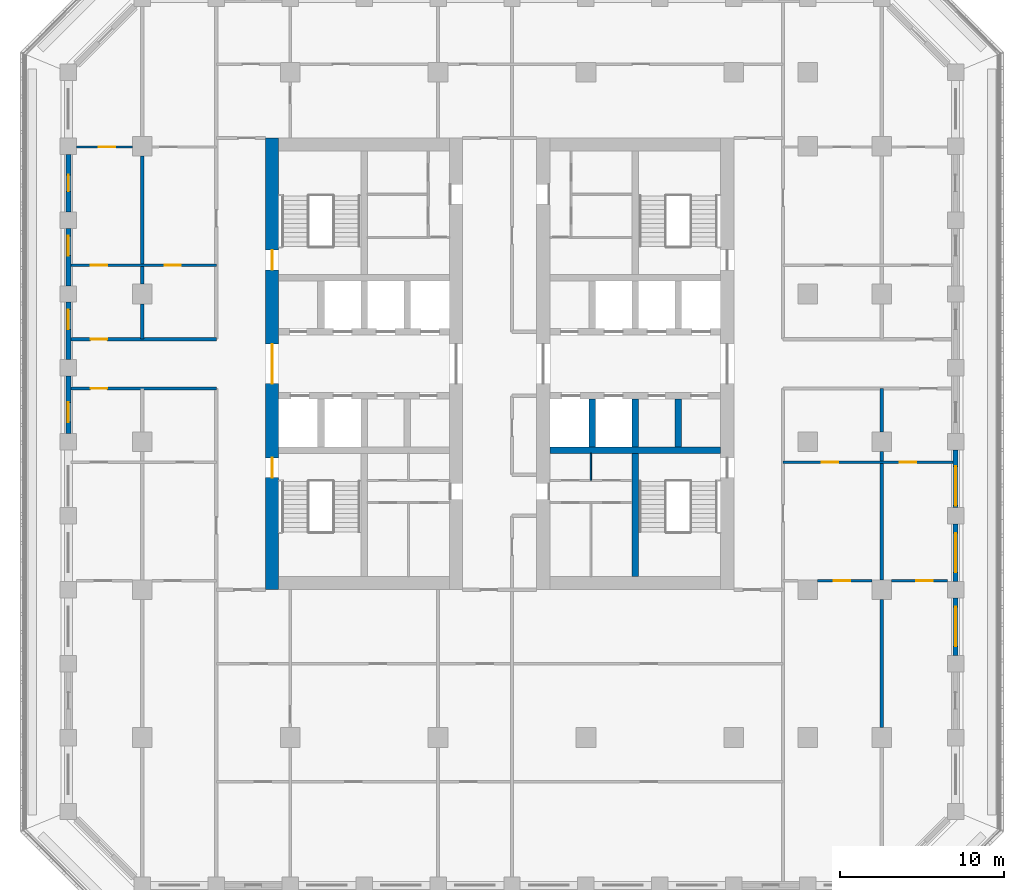
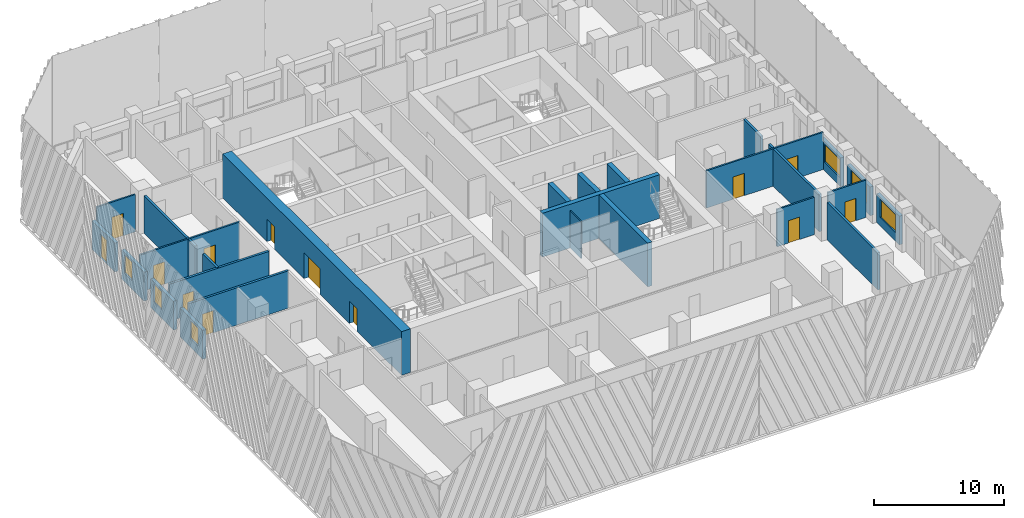
# One storey, part 5 of 17: 26 walls, 13 doors, 6 windows, 19 openings.
"""IFC4 building model written with IfcOpenShell, lengths in metres."""

from ifc_helpers import new_model, si_unit, direction, frame, frame_2d, origin, place, context, subcontext, project, spatial, rectangle, extrude, material, layer, layer_set, type_object, element, fill, save


model = new_model("IFC4")

# Units and contexts
model_context = context("Model", 3, precision=1e-05, world=origin(), true_north=direction((0.0, 1.0)))
body_context = subcontext(model_context, "Body", "Model", "MODEL_VIEW")
ifc_project = project(units=[si_unit("LENGTHUNIT", "METRE"), si_unit("AREAUNIT", "SQUARE_METRE"), si_unit("VOLUMEUNIT", "CUBIC_METRE"), si_unit("PLANEANGLEUNIT", "RADIAN"), si_unit("MASSUNIT", "GRAM", prefix="KILO")], contexts=[model_context])

# Site, building, storey
site_placement = place(None, origin())
site = spatial("IfcSite", under=ifc_project, at=site_placement, CompositionType="ELEMENT")
building_placement = place(site_placement, origin())
building = spatial("IfcBuilding", under=site, at=building_placement, Name="Corbel Stack Research Tower", CompositionType="ELEMENT")
storey_placement = place(building_placement, frame((0.0, 0.0, 216.10009765625)))
storey = spatial("IfcBuildingStorey", under=building, at=storey_placement, Name="L49", CompositionType="ELEMENT", Elevation=216.10009765625)

# Walls
ifc_material_1 = material(Name="Concrete C60/75", Category="concrete")
ifc_layer_1 = layer(ifc_material_1, 0.39990234375)
ifc_layer_set_1 = layer_set([ifc_layer_1], Name="Concrete C60/75")
wall_type_1 = type_object("IfcWallType", Name="CW-400-60", PredefinedType="SHEAR", material=ifc_layer_set_1)
wall_1_placement = place(storey_placement, frame((6.800048828125, -0.5, 0.0), z_axis=(0.0, 0.0, 1.0), x_axis=(1.0, 0.0, 0.0)))
element("IfcWall", 1, at=wall_1_placement, inside=storey, type_object=wall_type_1, Name="East core wall, south row back L49", PredefinedType="SHEAR", context=body_context, shape_type="SweptSolid", body=[
    extrude(rectangle(XDim=10.39990234375, YDim=0.39990234375, at=frame_2d((5.199951171875, 0.0))), origin(), (0.0, 0.0, 1.0), 4.099853515625),
])
for number, where, z_axis, x_axis, name in (
    (2, (9.375, -0.300048828125, 0.0), (0.0, 0.0, 1.0), (0.0, 1.0, 0.0), "East core wall, south shaft 1 L49"),
    (3, (12.0, -0.300048828125, 0.0), (0.0, 0.0, 1.0), (0.0, 1.0, 0.0), "East core wall, south shaft 2 L49"),
    (4, (14.625, -0.300048828125, 0.0), (0.0, 0.0, 1.0), (0.0, 1.0, 0.0), "East core wall, south shaft 3 L49"),
):
    element("IfcWall", number, at=place(storey_placement, frame(where, z_axis=z_axis, x_axis=x_axis)), inside=storey, type_object=wall_type_1, Name=name, PredefinedType="SHEAR", context=body_context, shape_type="SweptSolid", body=[
        extrude(rectangle(XDim=2.900146484375, YDim=0.39990234375, at=frame_2d((1.4501953125, 0.0))), origin(), (0.0, 0.0, 1.0), 4.099853515625),
    ])
wall_2_placement = place(storey_placement, frame((12.0, -8.199951171875, 0.0), z_axis=(0.0, 0.0, 1.0), x_axis=(0.0, 1.0, 0.0)))
element("IfcWall", 5, at=wall_2_placement, inside=storey, type_object=wall_type_1, Name="East core wall, south stair and WC L49", PredefinedType="SHEAR", context=body_context, shape_type="SweptSolid", body=[
    extrude(rectangle(XDim=7.5, YDim=0.39990234375, at=frame_2d((3.75, 0.0))), origin(), (0.0, 0.0, 1.0), 4.099853515625),
])

# Wall, openings, doors
ifc_material_2 = material(Name="Concrete C60/75", Category="concrete")
ifc_layer_2 = layer(ifc_material_2, 0.800048828125)
ifc_layer_set_2 = layer_set([ifc_layer_2], Name="Concrete C60/75")
wall_type_2 = type_object("IfcWallType", Name="CW-800-60", PredefinedType="SHEAR", material=ifc_layer_set_2)
wall_3_placement = place(storey_placement, frame((-10.10009765625, -9.0, 0.0), z_axis=(0.0, 0.0, 1.0), x_axis=(0.0, 1.0, 0.0)))
wall_3 = element("IfcWall", 6, at=wall_3_placement, inside=storey, type_object=wall_type_2, Name="West core wall, west face L49", PredefinedType="SHEAR", context=body_context, shape_type="SweptSolid", body=[
    extrude(rectangle(XDim=27.5, YDim=0.800048828125, at=frame_2d((13.75, 0.0))), origin(), (0.0, 0.0, 1.0), 4.099853515625),
])
opening_1_placement = place(wall_3_placement, frame((12.550048828125, 0.0, 0.0)))
opening_1 = element("IfcOpeningElement", 7, at=opening_1_placement, cuts=wall_3, Name="Opening CD-W-W", PredefinedType="OPENING", context=body_context, shape_type="SweptSolid", body=[
    extrude(rectangle(XDim=2.39990234375, YDim=2.39990234375, at=frame_2d((1.199951171875, 1.199951171875))), frame((0.0, 0.409912109375, 0.0), z_axis=(0.0, -1.0, 0.0), x_axis=(1.0, 0.0, 0.0)), (0.0, 0.0, 1.0), 0.820068359375),
])
opening_2_placement = place(wall_3_placement, frame((6.824951171875, 0.0, 0.0)))
opening_2 = element("IfcOpeningElement", 8, at=opening_2_placement, cuts=wall_3, Name="Opening SD-ST-W1", PredefinedType="OPENING", context=body_context, shape_type="SweptSolid", body=[
    extrude(rectangle(XDim=1.199951171875, YDim=2.10009765625, at=frame_2d((0.60009765625, 1.050048828125))), frame((0.0, 0.409912109375, 0.0), z_axis=(0.0, -1.0, 0.0), x_axis=(1.0, 0.0, 0.0)), (0.0, 0.0, 1.0), 0.820068359375),
])
opening_3_placement = place(wall_3_placement, frame((19.47509765625, 0.0, 0.0)))
opening_3 = element("IfcOpeningElement", 9, at=opening_3_placement, cuts=wall_3, Name="Opening SD-ST-W2", PredefinedType="OPENING", context=body_context, shape_type="SweptSolid", body=[
    extrude(rectangle(XDim=1.199951171875, YDim=2.10009765625, at=frame_2d((0.60009765625, 1.050048828125))), frame((0.0, 0.409912109375, 0.0), z_axis=(0.0, -1.0, 0.0), x_axis=(1.0, 0.0, 0.0)), (0.0, 0.0, 1.0), 0.820068359375),
])
ifc_material_3 = material(Name="Painted steel fire door", Category="steel")
door_type_1 = type_object("IfcDoorType", Name="Lobby door pair 2400 x 2400 FD30S", OperationType="DOUBLE_DOOR_DOUBLE_SWING", PredefinedType="DOOR", material=ifc_material_3)
door_1_placement = place(opening_1_placement, origin())
door_1 = element("IfcDoor", 10, at=door_1_placement, inside=storey, type_object=door_type_1, Name="Lift lobby door W core W", OperationType="DOUBLE_DOOR_DOUBLE_SWING", OverallHeight=2.39990234375, OverallWidth=2.39990234375, PredefinedType="DOOR", context=body_context, shape_type="SweptSolid", body=[
    extrude(rectangle(XDim=2.39990234375, YDim=2.39990234375, at=frame_2d((1.199951171875, 1.199951171875))), frame((0.0, 0.02490234375, 0.0), z_axis=(0.0, -1.0, 0.0), x_axis=(1.0, 0.0, 0.0)), (0.0, 0.0, 1.0), 0.050048828125),
])
fill(opening_1, door_1)
ifc_material_4 = material(Name="Painted steel fire door", Category="steel")
door_type_2 = type_object("IfcDoorType", Name="Stair door 1200 x 2100 FD90 left hand", OperationType="SINGLE_SWING_LEFT", PredefinedType="DOOR", material=ifc_material_4)
door_2_placement = place(opening_2_placement, origin())
door_2 = element("IfcDoor", 11, at=door_2_placement, inside=storey, type_object=door_type_2, Name="Stair door ST-W1", OperationType="SINGLE_SWING_LEFT", OverallHeight=2.10009765625, OverallWidth=1.199951171875, PredefinedType="DOOR", context=body_context, shape_type="SweptSolid", body=[
    extrude(rectangle(XDim=1.199951171875, YDim=2.10009765625, at=frame_2d((0.60009765625, 1.050048828125))), frame((0.0, 0.02490234375, 0.0), z_axis=(0.0, -1.0, 0.0), x_axis=(1.0, 0.0, 0.0)), (0.0, 0.0, 1.0), 0.050048828125),
])
fill(opening_2, door_2)
door_3_placement = place(opening_3_placement, origin())
door_3 = element("IfcDoor", 12, at=door_3_placement, inside=storey, type_object=door_type_2, Name="Stair door ST-W2", OperationType="SINGLE_SWING_LEFT", OverallHeight=2.10009765625, OverallWidth=1.199951171875, PredefinedType="DOOR", context=body_context, shape_type="SweptSolid", body=[
    extrude(rectangle(XDim=1.199951171875, YDim=2.10009765625, at=frame_2d((0.60009765625, 1.050048828125))), frame((0.0, 0.02490234375, 0.0), z_axis=(0.0, -1.0, 0.0), x_axis=(1.0, 0.0, 0.0)), (0.0, 0.0, 1.0), 0.050048828125),
])
fill(opening_3, door_3)

# Walls
ifc_material_5 = material(Name="Gypsum board")
ifc_layer_3 = layer(ifc_material_5, 0.10009765625)
ifc_layer_set_3 = layer_set([ifc_layer_3], Name="Gypsum board")
wall_type_3 = type_object("IfcWallType", Name="Core partition 100", PredefinedType="PARTITIONING", material=ifc_layer_set_3)
wall_4_placement = place(storey_placement, frame((9.300048828125, -2.35009765625, 0.0), z_axis=(0.0, 0.0, 1.0), x_axis=(0.0, 1.0, 0.0)))
element("IfcWall", 13, at=wall_4_placement, inside=storey, type_object=wall_type_3, Name="Core partition E", PredefinedType="PARTITIONING", context=body_context, shape_type="SweptSolid", body=[
    extrude(rectangle(XDim=1.650146484375, YDim=0.10009765625, at=frame_2d((0.8251953125, 0.0))), origin(), (0.0, 0.0, 1.0), 3.5),
])
ifc_material_6 = material(Name="Fire-rated gypsum board partition on steel studs", Category="steel")
ifc_layer_4 = layer(ifc_material_6, 0.199951171875)
ifc_layer_set_4 = layer_set([ifc_layer_4], Name="Fire-rated gypsum board partition on steel studs")
wall_type_4 = type_object("IfcWallType", Name="Fire-rated partition 200 EI 60", PredefinedType="PARTITIONING", material=ifc_layer_set_4)
wall_5_placement = place(storey_placement, frame((-18.0, 6.25, 0.0), z_axis=(0.0, 0.0, 1.0), x_axis=(0.0, 1.0, 0.0)))
element("IfcWall", 14, at=wall_5_placement, inside=storey, type_object=wall_type_4, Name="Partition L49-005", PredefinedType="PARTITIONING", context=body_context, shape_type="SweptSolid", body=[
    extrude(rectangle(XDim=2.14990234375, YDim=0.199951171875, at=frame_2d((1.074951171875, 0.0))), origin(), (0.0, 0.0, 1.0), 3.5),
])
for number, where, z_axis, x_axis, name in (
    (15, (-18.0, 9.60009765625, 0.0), (0.0, 0.0, 1.0), (0.0, 1.0, 0.0), "Partition L49-006"),
    (16, (27.0, -17.39990234375, 0.0), (0.0, 0.0, 1.0), (0.0, 1.0, 0.0), "Partition L49-024"),
    (17, (27.0, -8.39990234375, 0.0), (0.0, 0.0, 1.0), (0.0, 1.0, 0.0), "Partition L49-025"),
):
    element("IfcWall", number, at=place(storey_placement, frame(where, z_axis=z_axis, x_axis=x_axis)), inside=storey, type_object=wall_type_4, Name=name, PredefinedType="PARTITIONING", context=body_context, shape_type="SweptSolid", body=[
        extrude(rectangle(XDim=7.7998046875, YDim=0.199951171875, at=frame_2d((3.89990234375, 0.0))), origin(), (0.0, 0.0, 1.0), 3.5),
    ])
wall_6_placement = place(storey_placement, frame((27.0, 0.60009765625, 0.0), z_axis=(0.0, 0.0, 1.0), x_axis=(0.0, 1.0, 0.0)))
element("IfcWall", 18, at=wall_6_placement, inside=storey, type_object=wall_type_4, Name="Partition L49-026", PredefinedType="PARTITIONING", context=body_context, shape_type="SweptSolid", body=[
    extrude(rectangle(XDim=2.64990234375, YDim=0.199951171875, at=frame_2d((1.324951171875, 0.0))), origin(), (0.0, 0.0, 1.0), 3.5),
])

# Wall, opening, door
wall_7_placement = place(storey_placement, frame((-13.5, 3.25, 0.0), z_axis=(0.0, 0.0, 1.0), x_axis=(-1.0, 0.0, 0.0)))
wall_7 = element("IfcWall", 19, at=wall_7_placement, inside=storey, type_object=wall_type_4, Name="Partition L49-045", PredefinedType="PARTITIONING", context=body_context, shape_type="SweptSolid", body=[
    extrude(rectangle(XDim=8.85009765625, YDim=0.199951171875, at=frame_2d((4.425048828125, 0.0))), origin(), (0.0, 0.0, 1.0), 3.5),
])
opening_4_placement = place(wall_7_placement, frame((6.64990234375, 0.0, 0.0)))
opening_4 = element("IfcOpeningElement", 20, at=opening_4_placement, cuts=wall_7, Name="Opening B6V2-024", PredefinedType="OPENING", context=body_context, shape_type="SweptSolid", body=[
    extrude(rectangle(XDim=1.0, YDim=2.10009765625, at=frame_2d((0.5, 1.050048828125))), frame((0.0, 0.10986328125, 0.0), z_axis=(0.0, -1.0, 0.0), x_axis=(1.0, 0.0, 0.0)), (0.0, 0.0, 1.0), 0.219970703125),
])
ifc_material_7 = material(Name="Painted steel fire door", Category="steel")
door_type_3 = type_object("IfcDoorType", Name="Fire door FD30S 1000 x 2100", OperationType="NOTDEFINED", PredefinedType="DOOR", material=ifc_material_7)
door_4_placement = place(opening_4_placement, origin())
door_4 = element("IfcDoor", 21, at=door_4_placement, inside=storey, type_object=door_type_3, Name="Door B6V2-024", OperationType="SINGLE_SWING_RIGHT", OverallHeight=2.10009765625, OverallWidth=1.0, PredefinedType="DOOR", context=body_context, shape_type="SweptSolid", body=[
    extrude(rectangle(XDim=1.0, YDim=2.10009765625, at=frame_2d((0.5, 1.050048828125))), frame((0.0, 0.02490234375, 0.0), z_axis=(0.0, -1.0, 0.0), x_axis=(1.0, 0.0, 0.0)), (0.0, 0.0, 1.0), 0.050048828125),
])
fill(opening_4, door_4)

wall_8_placement = place(storey_placement, frame((-22.35009765625, 6.25, 0.0), z_axis=(0.0, 0.0, 1.0), x_axis=(1.0, 0.0, 0.0)))
wall_8 = element("IfcWall", 22, at=wall_8_placement, inside=storey, type_object=wall_type_4, Name="Partition L49-047", PredefinedType="PARTITIONING", context=body_context, shape_type="SweptSolid", body=[
    extrude(rectangle(XDim=8.85009765625, YDim=0.199951171875, at=frame_2d((4.425048828125, 0.0))), origin(), (0.0, 0.0, 1.0), 3.5),
])
opening_5_placement = place(wall_8_placement, frame((1.199951171875, 0.0, 0.0)))
opening_5 = element("IfcOpeningElement", 23, at=opening_5_placement, cuts=wall_8, Name="Opening B6V2-029", PredefinedType="OPENING", context=body_context, shape_type="SweptSolid", body=[
    extrude(rectangle(XDim=1.0, YDim=2.10009765625, at=frame_2d((0.5, 1.050048828125))), frame((0.0, 0.10986328125, 0.0), z_axis=(0.0, -1.0, 0.0), x_axis=(1.0, 0.0, 0.0)), (0.0, 0.0, 1.0), 0.219970703125),
])
door_5_placement = place(opening_5_placement, origin())
door_5 = element("IfcDoor", 24, at=door_5_placement, inside=storey, type_object=door_type_3, Name="Door B6V2-029", OperationType="SINGLE_SWING_LEFT", OverallHeight=2.10009765625, OverallWidth=1.0, PredefinedType="DOOR", context=body_context, shape_type="SweptSolid", body=[
    extrude(rectangle(XDim=1.0, YDim=2.10009765625, at=frame_2d((0.5, 1.050048828125))), frame((0.0, 0.02490234375, 0.0), z_axis=(0.0, -1.0, 0.0), x_axis=(1.0, 0.0, 0.0)), (0.0, 0.0, 1.0), 0.050048828125),
])
fill(opening_5, door_5)

ifc_material_8 = material(Name="Gypsum board partition on steel studs", Category="steel")
ifc_layer_5 = layer(ifc_material_8, 0.14990234375)
ifc_layer_set_5 = layer_set([ifc_layer_5], Name="Gypsum board partition on steel studs")
wall_type_5 = type_object("IfcWallType", Name="Partition 150", PredefinedType="PARTITIONING", material=ifc_layer_set_5)
wall_9_placement = place(storey_placement, frame((26.39990234375, -8.449951171875, 0.0), z_axis=(0.0, 0.0, 1.0), x_axis=(-1.0, 0.0, 0.0)))
wall_9 = element("IfcWall", 25, at=wall_9_placement, inside=storey, type_object=wall_type_5, Name="Partition L49-038", PredefinedType="PARTITIONING", context=body_context, shape_type="SweptSolid", body=[
    extrude(rectangle(XDim=3.2998046875, YDim=0.14990234375, at=frame_2d((1.64990234375, 0.0))), origin(), (0.0, 0.0, 1.0), 3.5),
])
opening_6_placement = place(wall_9_placement, frame((1.300048828125, 0.0, 0.0)))
opening_6 = element("IfcOpeningElement", 26, at=opening_6_placement, cuts=wall_9, Name="Opening B6V2-018", PredefinedType="OPENING", context=body_context, shape_type="SweptSolid", body=[
    extrude(rectangle(XDim=1.0, YDim=2.10009765625, at=frame_2d((0.5, 1.050048828125))), frame((0.0, 0.0849609375, 0.0), z_axis=(0.0, -1.0, 0.0), x_axis=(1.0, 0.0, 0.0)), (0.0, 0.0, 1.0), 0.169921875),
])
ifc_material_9 = material(Name="Painted timber door", Category="wood")
door_type_4 = type_object("IfcDoorType", Name="Single door 1000 x 2100", OperationType="NOTDEFINED", PredefinedType="DOOR", material=ifc_material_9)
door_6_placement = place(opening_6_placement, origin())
door_6 = element("IfcDoor", 27, at=door_6_placement, inside=storey, type_object=door_type_4, Name="Door B6V2-018", OperationType="SINGLE_SWING_RIGHT", OverallHeight=2.10009765625, OverallWidth=1.0, PredefinedType="DOOR", context=body_context, shape_type="SweptSolid", body=[
    extrude(rectangle(XDim=1.0, YDim=2.10009765625, at=frame_2d((0.5, 1.050048828125))), frame((0.0, 0.02490234375, 0.0), z_axis=(0.0, -1.0, 0.0), x_axis=(1.0, 0.0, 0.0)), (0.0, 0.0, 1.0), 0.050048828125),
])
fill(opening_6, door_6)

wall_10_placement = place(storey_placement, frame((31.0, -8.449951171875, 0.0), z_axis=(0.0, 0.0, 1.0), x_axis=(-1.0, 0.0, 0.0)))
wall_10 = element("IfcWall", 28, at=wall_10_placement, inside=storey, type_object=wall_type_5, Name="Partition L49-039", PredefinedType="PARTITIONING", context=body_context, shape_type="SweptSolid", body=[
    extrude(rectangle(XDim=3.39990234375, YDim=0.14990234375, at=frame_2d((1.699951171875, 0.0))), origin(), (0.0, 0.0, 1.0), 3.5),
])
opening_7_placement = place(wall_10_placement, frame((0.89990234375, 0.0, 0.0)))
opening_7 = element("IfcOpeningElement", 29, at=opening_7_placement, cuts=wall_10, Name="Opening B6V2-019", PredefinedType="OPENING", context=body_context, shape_type="SweptSolid", body=[
    extrude(rectangle(XDim=1.0, YDim=2.10009765625, at=frame_2d((0.5, 1.050048828125))), frame((0.0, 0.0849609375, 0.0), z_axis=(0.0, -1.0, 0.0), x_axis=(1.0, 0.0, 0.0)), (0.0, 0.0, 1.0), 0.169921875),
])
door_7_placement = place(opening_7_placement, origin())
door_7 = element("IfcDoor", 30, at=door_7_placement, inside=storey, type_object=door_type_4, Name="Door B6V2-019", OperationType="SINGLE_SWING_LEFT", OverallHeight=2.10009765625, OverallWidth=1.0, PredefinedType="DOOR", context=body_context, shape_type="SweptSolid", body=[
    extrude(rectangle(XDim=1.0, YDim=2.10009765625, at=frame_2d((0.5, 1.050048828125))), frame((0.0, 0.02490234375, 0.0), z_axis=(0.0, -1.0, 0.0), x_axis=(1.0, 0.0, 0.0)), (0.0, 0.0, 1.0), 0.050048828125),
])
fill(opening_7, door_7)

# Wall, openings, doors
wall_11_placement = place(storey_placement, frame((21.0, -1.25, 0.0), z_axis=(0.0, 0.0, 1.0), x_axis=(1.0, 0.0, 0.0)))
wall_11 = element("IfcWall", 31, at=wall_11_placement, inside=storey, type_object=wall_type_5, Name="Partition L49-043", PredefinedType="PARTITIONING", context=body_context, shape_type="SweptSolid", body=[
    extrude(rectangle(XDim=10.35009765625, YDim=0.14990234375, at=frame_2d((5.175048828125, 0.0))), origin(), (0.0, 0.0, 1.0), 3.5),
])
opening_8_placement = place(wall_11_placement, frame((2.35009765625, 0.0, 0.0)))
opening_8 = element("IfcOpeningElement", 32, at=opening_8_placement, cuts=wall_11, Name="Opening B6V2-022", PredefinedType="OPENING", context=body_context, shape_type="SweptSolid", body=[
    extrude(rectangle(XDim=1.0, YDim=2.10009765625, at=frame_2d((0.5, 1.050048828125))), frame((0.0, 0.0849609375, 0.0), z_axis=(0.0, -1.0, 0.0), x_axis=(1.0, 0.0, 0.0)), (0.0, 0.0, 1.0), 0.169921875),
])
opening_9_placement = place(wall_11_placement, frame((7.10009765625, 0.0, 0.0)))
opening_9 = element("IfcOpeningElement", 33, at=opening_9_placement, cuts=wall_11, Name="Opening B6V2-023", PredefinedType="OPENING", context=body_context, shape_type="SweptSolid", body=[
    extrude(rectangle(XDim=1.0, YDim=2.10009765625, at=frame_2d((0.5, 1.050048828125))), frame((0.0, 0.0849609375, 0.0), z_axis=(0.0, -1.0, 0.0), x_axis=(1.0, 0.0, 0.0)), (0.0, 0.0, 1.0), 0.169921875),
])
door_8_placement = place(opening_8_placement, origin())
door_8 = element("IfcDoor", 34, at=door_8_placement, inside=storey, type_object=door_type_4, Name="Door B6V2-022", OperationType="SINGLE_SWING_LEFT", OverallHeight=2.10009765625, OverallWidth=1.0, PredefinedType="DOOR", context=body_context, shape_type="SweptSolid", body=[
    extrude(rectangle(XDim=1.0, YDim=2.10009765625, at=frame_2d((0.5, 1.050048828125))), frame((0.0, 0.02490234375, 0.0), z_axis=(0.0, -1.0, 0.0), x_axis=(1.0, 0.0, 0.0)), (0.0, 0.0, 1.0), 0.050048828125),
])
fill(opening_8, door_8)
door_9_placement = place(opening_9_placement, origin())
door_9 = element("IfcDoor", 35, at=door_9_placement, inside=storey, type_object=door_type_4, Name="Door B6V2-023", OperationType="SINGLE_SWING_RIGHT", OverallHeight=2.10009765625, OverallWidth=1.0, PredefinedType="DOOR", context=body_context, shape_type="SweptSolid", body=[
    extrude(rectangle(XDim=1.0, YDim=2.10009765625, at=frame_2d((0.5, 1.050048828125))), frame((0.0, 0.02490234375, 0.0), z_axis=(0.0, -1.0, 0.0), x_axis=(1.0, 0.0, 0.0)), (0.0, 0.0, 1.0), 0.050048828125),
])
fill(opening_9, door_9)

wall_12_placement = place(storey_placement, frame((-22.35009765625, 10.75, 0.0), z_axis=(0.0, 0.0, 1.0), x_axis=(1.0, 0.0, 0.0)))
wall_12 = element("IfcWall", 36, at=wall_12_placement, inside=storey, type_object=wall_type_5, Name="Partition L49-050", PredefinedType="PARTITIONING", context=body_context, shape_type="SweptSolid", body=[
    extrude(rectangle(XDim=8.85009765625, YDim=0.14990234375, at=frame_2d((4.425048828125, 0.0))), origin(), (0.0, 0.0, 1.0), 3.5),
])
opening_10_placement = place(wall_12_placement, frame((1.199951171875, 0.0, 0.0)))
opening_10 = element("IfcOpeningElement", 37, at=opening_10_placement, cuts=wall_12, Name="Opening B6V2-031", PredefinedType="OPENING", context=body_context, shape_type="SweptSolid", body=[
    extrude(rectangle(XDim=1.0, YDim=2.10009765625, at=frame_2d((0.5, 1.050048828125))), frame((0.0, 0.0849609375, 0.0), z_axis=(0.0, -1.0, 0.0), x_axis=(1.0, 0.0, 0.0)), (0.0, 0.0, 1.0), 0.169921875),
])
opening_11_placement = place(wall_12_placement, frame((5.699951171875, 0.0, 0.0)))
opening_11 = element("IfcOpeningElement", 38, at=opening_11_placement, cuts=wall_12, Name="Opening B6V2-032", PredefinedType="OPENING", context=body_context, shape_type="SweptSolid", body=[
    extrude(rectangle(XDim=1.0, YDim=2.10009765625, at=frame_2d((0.5, 1.050048828125))), frame((0.0, 0.0849609375, 0.0), z_axis=(0.0, -1.0, 0.0), x_axis=(1.0, 0.0, 0.0)), (0.0, 0.0, 1.0), 0.169921875),
])
door_10_placement = place(opening_10_placement, origin())
door_10 = element("IfcDoor", 39, at=door_10_placement, inside=storey, type_object=door_type_4, Name="Door B6V2-031", OperationType="SINGLE_SWING_LEFT", OverallHeight=2.10009765625, OverallWidth=1.0, PredefinedType="DOOR", context=body_context, shape_type="SweptSolid", body=[
    extrude(rectangle(XDim=1.0, YDim=2.10009765625, at=frame_2d((0.5, 1.050048828125))), frame((0.0, 0.02490234375, 0.0), z_axis=(0.0, -1.0, 0.0), x_axis=(1.0, 0.0, 0.0)), (0.0, 0.0, 1.0), 0.050048828125),
])
fill(opening_10, door_10)
door_11_placement = place(opening_11_placement, origin())
door_11 = element("IfcDoor", 40, at=door_11_placement, inside=storey, type_object=door_type_4, Name="Door B6V2-032", OperationType="SINGLE_SWING_RIGHT", OverallHeight=2.10009765625, OverallWidth=1.0, PredefinedType="DOOR", context=body_context, shape_type="SweptSolid", body=[
    extrude(rectangle(XDim=1.0, YDim=2.10009765625, at=frame_2d((0.5, 1.050048828125))), frame((0.0, 0.02490234375, 0.0), z_axis=(0.0, -1.0, 0.0), x_axis=(1.0, 0.0, 0.0)), (0.0, 0.0, 1.0), 0.050048828125),
])
fill(opening_11, door_11)

# Wall, opening, door
wall_13_placement = place(storey_placement, frame((-22.0, 17.949951171875, 0.0), z_axis=(0.0, 0.0, 1.0), x_axis=(1.0, 0.0, 0.0)))
wall_13 = element("IfcWall", 41, at=wall_13_placement, inside=storey, type_object=wall_type_5, Name="Partition L49-052", PredefinedType="PARTITIONING", context=body_context, shape_type="SweptSolid", body=[
    extrude(rectangle(XDim=3.39990234375, YDim=0.14990234375, at=frame_2d((1.699951171875, 0.0))), origin(), (0.0, 0.0, 1.0), 3.5),
])
opening_12_placement = place(wall_13_placement, frame((1.35009765625, 0.0, 0.0)))
opening_12 = element("IfcOpeningElement", 42, at=opening_12_placement, cuts=wall_13, Name="Opening B6V2-035", PredefinedType="OPENING", context=body_context, shape_type="SweptSolid", body=[
    extrude(rectangle(XDim=1.0, YDim=2.10009765625, at=frame_2d((0.5, 1.050048828125))), frame((0.0, 0.0849609375, 0.0), z_axis=(0.0, -1.0, 0.0), x_axis=(1.0, 0.0, 0.0)), (0.0, 0.0, 1.0), 0.169921875),
])
door_12_placement = place(opening_12_placement, origin())
door_12 = element("IfcDoor", 43, at=door_12_placement, inside=storey, type_object=door_type_4, Name="Door B6V2-035", OperationType="SINGLE_SWING_RIGHT", OverallHeight=2.10009765625, OverallWidth=1.0, PredefinedType="DOOR", context=body_context, shape_type="SweptSolid", body=[
    extrude(rectangle(XDim=1.0, YDim=2.10009765625, at=frame_2d((0.5, 1.050048828125))), frame((0.0, 0.02490234375, 0.0), z_axis=(0.0, -1.0, 0.0), x_axis=(1.0, 0.0, 0.0)), (0.0, 0.0, 1.0), 0.050048828125),
])
fill(opening_12, door_12)

# Wall, opening, window
ifc_material_10 = material(Name="Concrete C45/55", Category="concrete")
ifc_layer_6 = layer(ifc_material_10, 0.300048828125)
ifc_layer_set_6 = layer_set([ifc_layer_6], Name="Concrete C45/55")
wall_type_6 = type_object("IfcWallType", Name="Terracotta-faced concrete wall 300", PredefinedType="SOLIDWALL", material=ifc_layer_set_6)
wall_14_placement = place(storey_placement, frame((31.5, -9.5, 0.0), z_axis=(0.0, 0.0, 1.0), x_axis=(0.0, -1.0, 0.0)))
wall_14 = element("IfcWall", 44, at=wall_14_placement, inside=storey, type_object=wall_type_6, Name="Facade wall L49 E03", PredefinedType="SOLIDWALL", context=body_context, shape_type="SweptSolid", body=[
    extrude(rectangle(XDim=3.5, YDim=0.300048828125, at=frame_2d((1.75, 0.0))), origin(), (0.0, 0.0, 1.0), 2.699951171875),
])
opening_13_placement = place(wall_14_placement, frame((0.550048828125, 0.0, 0.800048828125)))
opening_13 = element("IfcOpeningElement", 45, at=opening_13_placement, cuts=wall_14, Name="Opening W1", PredefinedType="OPENING", context=body_context, shape_type="SweptSolid", body=[
    extrude(rectangle(XDim=2.39990234375, YDim=1.699951171875, at=frame_2d((1.199951171875, 0.85009765625))), frame((0.0, 0.159912109375, 0.0), z_axis=(0.0, -1.0, 0.0), x_axis=(1.0, 0.0, 0.0)), (0.0, 0.0, 1.0), 0.320068359375),
])
ifc_material_11 = material(Name="Aluminium frame, clear double glazing", Category="aluminium")
window_type_1 = type_object("IfcWindowType", Name="Window W1 2400 x 1700", PartitioningType="SINGLE_PANEL", PredefinedType="WINDOW", material=ifc_material_11)
window_1_placement = place(opening_13_placement, origin())
window_1 = element("IfcWindow", 46, at=window_1_placement, inside=storey, type_object=window_type_1, Name="Window W1 L49 E03", OverallHeight=1.699951171875, OverallWidth=2.39990234375, PartitioningType="SINGLE_PANEL", PredefinedType="WINDOW", context=body_context, shape_type="SweptSolid", body=[
    extrude(rectangle(XDim=2.39990234375, YDim=1.699951171875, at=frame_2d((1.199951171875, 0.85009765625))), frame((0.0, 0.030029296875, 0.0), z_axis=(0.0, -1.0, 0.0), x_axis=(1.0, 0.0, 0.0)), (0.0, 0.0, 1.0), 0.06005859375),
])
fill(opening_13, window_1)

wall_15_placement = place(storey_placement, frame((31.5, -5.0, 0.0), z_axis=(0.0, 0.0, 1.0), x_axis=(0.0, -1.0, 0.0)))
wall_15 = element("IfcWall", 47, at=wall_15_placement, inside=storey, type_object=wall_type_6, Name="Facade wall L49 E04", PredefinedType="SOLIDWALL", context=body_context, shape_type="SweptSolid", body=[
    extrude(rectangle(XDim=3.5, YDim=0.300048828125, at=frame_2d((1.75, 0.0))), origin(), (0.0, 0.0, 1.0), 2.699951171875),
])
opening_14_placement = place(wall_15_placement, frame((0.550048828125, 0.0, 0.800048828125)))
opening_14 = element("IfcOpeningElement", 48, at=opening_14_placement, cuts=wall_15, Name="Opening W1", PredefinedType="OPENING", context=body_context, shape_type="SweptSolid", body=[
    extrude(rectangle(XDim=2.39990234375, YDim=1.699951171875, at=frame_2d((1.199951171875, 0.85009765625))), frame((0.0, 0.159912109375, 0.0), z_axis=(0.0, -1.0, 0.0), x_axis=(1.0, 0.0, 0.0)), (0.0, 0.0, 1.0), 0.320068359375),
])
window_2_placement = place(opening_14_placement, origin())
window_2 = element("IfcWindow", 49, at=window_2_placement, inside=storey, type_object=window_type_1, Name="Window W1 L49 E04", OverallHeight=1.699951171875, OverallWidth=2.39990234375, PartitioningType="SINGLE_PANEL", PredefinedType="WINDOW", context=body_context, shape_type="SweptSolid", body=[
    extrude(rectangle(XDim=2.39990234375, YDim=1.699951171875, at=frame_2d((1.199951171875, 0.85009765625))), frame((0.0, 0.030029296875, 0.0), z_axis=(0.0, -1.0, 0.0), x_axis=(1.0, 0.0, 0.0)), (0.0, 0.0, 1.0), 0.06005859375),
])
fill(opening_14, window_2)

wall_16_placement = place(storey_placement, frame((31.5, -0.5, 0.0), z_axis=(0.0, 0.0, 1.0), x_axis=(0.0, -1.0, 0.0)))
wall_16 = element("IfcWall", 50, at=wall_16_placement, inside=storey, type_object=wall_type_6, Name="Facade wall L49 E05", PredefinedType="SOLIDWALL", context=body_context, shape_type="SweptSolid", body=[
    extrude(rectangle(XDim=3.5, YDim=0.300048828125, at=frame_2d((1.75, 0.0))), origin(), (0.0, 0.0, 1.0), 2.699951171875),
])
opening_15_placement = place(wall_16_placement, frame((0.987548828125, 0.0, 0.800048828125)))
opening_15 = element("IfcOpeningElement", 51, at=opening_15_placement, cuts=wall_16, Name="Opening W1", PredefinedType="OPENING", context=body_context, shape_type="SweptSolid", body=[
    extrude(rectangle(XDim=2.39990234375, YDim=1.699951171875, at=frame_2d((1.199951171875, 0.85009765625))), frame((0.0, 0.159912109375, 0.0), z_axis=(0.0, -1.0, 0.0), x_axis=(1.0, 0.0, 0.0)), (0.0, 0.0, 1.0), 0.320068359375),
])
window_3_placement = place(opening_15_placement, origin())
window_3 = element("IfcWindow", 52, at=window_3_placement, inside=storey, type_object=window_type_1, Name="Window W1 L49 E05", OverallHeight=1.699951171875, OverallWidth=2.39990234375, PartitioningType="SINGLE_PANEL", PredefinedType="WINDOW", context=body_context, shape_type="SweptSolid", body=[
    extrude(rectangle(XDim=2.39990234375, YDim=1.699951171875, at=frame_2d((1.199951171875, 0.85009765625))), frame((0.0, 0.030029296875, 0.0), z_axis=(0.0, -1.0, 0.0), x_axis=(1.0, 0.0, 0.0)), (0.0, 0.0, 1.0), 0.06005859375),
])
fill(opening_15, window_3)

# Wall, opening, door
wall_17_placement = place(storey_placement, frame((-22.5, 14.0, 0.0), z_axis=(0.0, 0.0, 1.0), x_axis=(0.0, 1.0, 0.0)))
wall_17 = element("IfcWall", 53, at=wall_17_placement, inside=storey, type_object=wall_type_6, Name="Facade wall L49 W02", PredefinedType="SOLIDWALL", context=body_context, shape_type="SweptSolid", body=[
    extrude(rectangle(XDim=3.5, YDim=0.300048828125, at=frame_2d((1.75, 0.0))), origin(), (0.0, 0.0, 1.0), 2.699951171875),
])
opening_16_placement = place(wall_17_placement, frame((1.25, 0.0, 0.0)))
opening_16 = element("IfcOpeningElement", 54, at=opening_16_placement, cuts=wall_17, Name="Opening L49-B10", PredefinedType="OPENING", context=body_context, shape_type="SweptSolid", body=[
    extrude(rectangle(XDim=1.0, YDim=2.199951171875, at=frame_2d((0.5, 1.10009765625))), frame((0.0, 0.159912109375, 0.0), z_axis=(0.0, -1.0, 0.0), x_axis=(1.0, 0.0, 0.0)), (0.0, 0.0, 1.0), 0.320068359375),
])
ifc_material_12 = material(Name="Aluminium frame, clear double glazing", Category="aluminium")
door_type_5 = type_object("IfcDoorType", Name="Balcony door BD1 1000 x 2200", OperationType="NOTDEFINED", PredefinedType="DOOR", material=ifc_material_12)
door_13_placement = place(opening_16_placement, origin())
door_13 = element("IfcDoor", 55, at=door_13_placement, inside=storey, type_object=door_type_5, Name="Balcony door L49-B10", OperationType="SINGLE_SWING_LEFT", OverallHeight=2.199951171875, OverallWidth=1.0, PredefinedType="DOOR", context=body_context, shape_type="SweptSolid", body=[
    extrude(rectangle(XDim=1.0, YDim=2.199951171875, at=frame_2d((0.5, 1.10009765625))), frame((0.0, 0.02490234375, 0.0), z_axis=(0.0, -1.0, 0.0), x_axis=(1.0, 0.0, 0.0)), (0.0, 0.0, 1.0), 0.050048828125),
])
fill(opening_16, door_13)

# Wall, opening, window
wall_18_placement = place(storey_placement, frame((-22.5, 9.5, 0.0), z_axis=(0.0, 0.0, 1.0), x_axis=(0.0, 1.0, 0.0)))
wall_18 = element("IfcWall", 56, at=wall_18_placement, inside=storey, type_object=wall_type_6, Name="Facade wall L49 W03", PredefinedType="SOLIDWALL", context=body_context, shape_type="SweptSolid", body=[
    extrude(rectangle(XDim=3.5, YDim=0.300048828125, at=frame_2d((1.75, 0.0))), origin(), (0.0, 0.0, 1.0), 2.699951171875),
])
opening_17_placement = place(wall_18_placement, frame((1.83740234375, 0.0, 0.800048828125)))
opening_17 = element("IfcOpeningElement", 57, at=opening_17_placement, cuts=wall_18, Name="Opening W2", PredefinedType="OPENING", context=body_context, shape_type="SweptSolid", body=[
    extrude(rectangle(XDim=1.199951171875, YDim=1.699951171875, at=frame_2d((0.60009765625, 0.85009765625))), frame((0.0, 0.159912109375, 0.0), z_axis=(0.0, -1.0, 0.0), x_axis=(1.0, 0.0, 0.0)), (0.0, 0.0, 1.0), 0.320068359375),
])
ifc_material_13 = material(Name="Aluminium frame, clear double glazing", Category="aluminium")
window_type_2 = type_object("IfcWindowType", Name="Window W2 1200 x 1700", PartitioningType="SINGLE_PANEL", PredefinedType="WINDOW", material=ifc_material_13)
window_4_placement = place(opening_17_placement, origin())
window_4 = element("IfcWindow", 58, at=window_4_placement, inside=storey, type_object=window_type_2, Name="Window W2 L49 W03", OverallHeight=1.699951171875, OverallWidth=1.199951171875, PartitioningType="SINGLE_PANEL", PredefinedType="WINDOW", context=body_context, shape_type="SweptSolid", body=[
    extrude(rectangle(XDim=1.199951171875, YDim=1.699951171875, at=frame_2d((0.60009765625, 0.85009765625))), frame((0.0, 0.030029296875, 0.0), z_axis=(0.0, -1.0, 0.0), x_axis=(1.0, 0.0, 0.0)), (0.0, 0.0, 1.0), 0.06005859375),
])
fill(opening_17, window_4)

wall_19_placement = place(storey_placement, frame((-22.5, 5.0, 0.0), z_axis=(0.0, 0.0, 1.0), x_axis=(0.0, 1.0, 0.0)))
wall_19 = element("IfcWall", 59, at=wall_19_placement, inside=storey, type_object=wall_type_6, Name="Facade wall L49 W04", PredefinedType="SOLIDWALL", context=body_context, shape_type="SweptSolid", body=[
    extrude(rectangle(XDim=3.5, YDim=0.300048828125, at=frame_2d((1.75, 0.0))), origin(), (0.0, 0.0, 1.0), 2.699951171875),
])
opening_18_placement = place(wall_19_placement, frame((1.85009765625, 0.0, 0.800048828125)))
opening_18 = element("IfcOpeningElement", 60, at=opening_18_placement, cuts=wall_19, Name="Opening W2", PredefinedType="OPENING", context=body_context, shape_type="SweptSolid", body=[
    extrude(rectangle(XDim=1.199951171875, YDim=1.699951171875, at=frame_2d((0.60009765625, 0.85009765625))), frame((0.0, 0.159912109375, 0.0), z_axis=(0.0, -1.0, 0.0), x_axis=(1.0, 0.0, 0.0)), (0.0, 0.0, 1.0), 0.320068359375),
])
window_5_placement = place(opening_18_placement, origin())
window_5 = element("IfcWindow", 61, at=window_5_placement, inside=storey, type_object=window_type_2, Name="Window W2 L49 W04", OverallHeight=1.699951171875, OverallWidth=1.199951171875, PartitioningType="SINGLE_PANEL", PredefinedType="WINDOW", context=body_context, shape_type="SweptSolid", body=[
    extrude(rectangle(XDim=1.199951171875, YDim=1.699951171875, at=frame_2d((0.60009765625, 0.85009765625))), frame((0.0, 0.030029296875, 0.0), z_axis=(0.0, -1.0, 0.0), x_axis=(1.0, 0.0, 0.0)), (0.0, 0.0, 1.0), 0.06005859375),
])
fill(opening_18, window_5)

wall_20_placement = place(storey_placement, frame((-22.5, 0.5, 0.0), z_axis=(0.0, 0.0, 1.0), x_axis=(0.0, 1.0, 0.0)))
wall_20 = element("IfcWall", 62, at=wall_20_placement, inside=storey, type_object=wall_type_6, Name="Facade wall L49 W05", PredefinedType="SOLIDWALL", context=body_context, shape_type="SweptSolid", body=[
    extrude(rectangle(XDim=3.5, YDim=0.300048828125, at=frame_2d((1.75, 0.0))), origin(), (0.0, 0.0, 1.0), 2.699951171875),
])
opening_19_placement = place(wall_20_placement, frame((0.699951171875, 0.0, 0.800048828125)))
opening_19 = element("IfcOpeningElement", 63, at=opening_19_placement, cuts=wall_20, Name="Opening W2", PredefinedType="OPENING", context=body_context, shape_type="SweptSolid", body=[
    extrude(rectangle(XDim=1.199951171875, YDim=1.699951171875, at=frame_2d((0.60009765625, 0.85009765625))), frame((0.0, 0.159912109375, 0.0), z_axis=(0.0, -1.0, 0.0), x_axis=(1.0, 0.0, 0.0)), (0.0, 0.0, 1.0), 0.320068359375),
])
window_6_placement = place(opening_19_placement, origin())
window_6 = element("IfcWindow", 64, at=window_6_placement, inside=storey, type_object=window_type_2, Name="Window W2 L49 W05", OverallHeight=1.699951171875, OverallWidth=1.199951171875, PartitioningType="SINGLE_PANEL", PredefinedType="WINDOW", context=body_context, shape_type="SweptSolid", body=[
    extrude(rectangle(XDim=1.199951171875, YDim=1.699951171875, at=frame_2d((0.60009765625, 0.85009765625))), frame((0.0, 0.030029296875, 0.0), z_axis=(0.0, -1.0, 0.0), x_axis=(1.0, 0.0, 0.0)), (0.0, 0.0, 1.0), 0.06005859375),
])
fill(opening_19, window_6)

save(model, "model.ifc")
